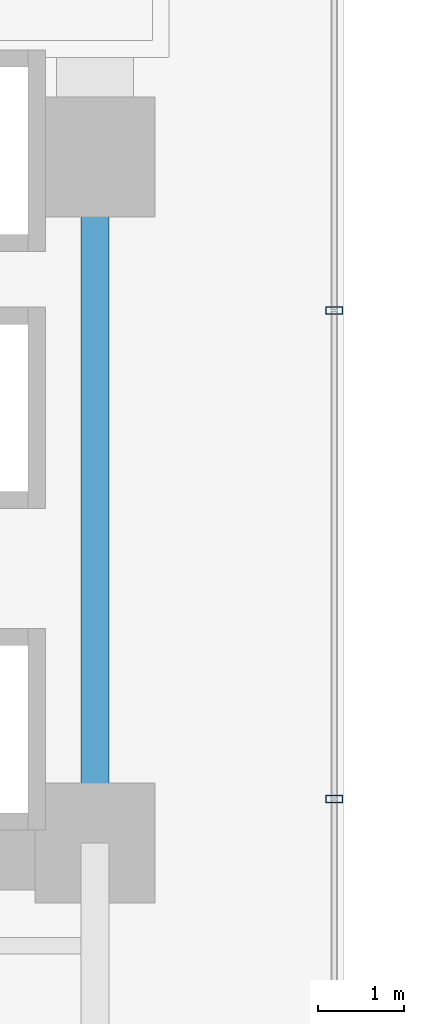
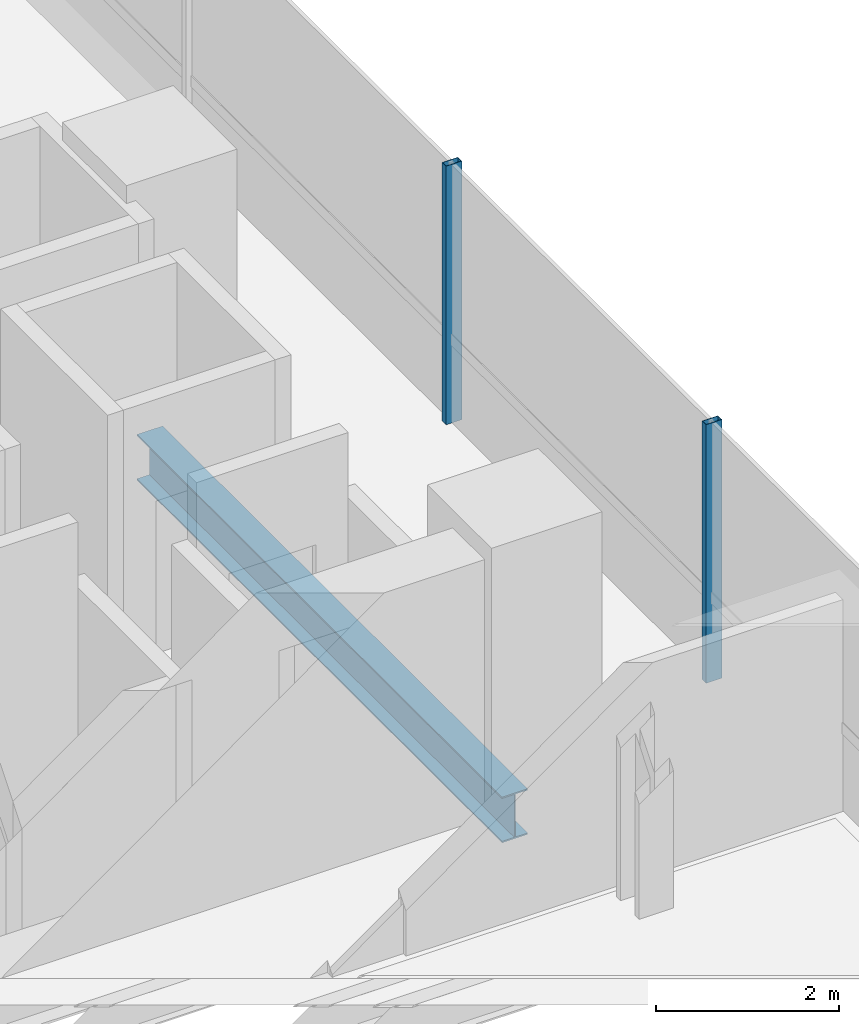
# One storey, part 6 of 40: 2 members, 1 beam, 1 element without a shape of its own.
"""IFC4 building model written with IfcOpenShell, lengths in metres."""

from ifc_helpers import new_model, si_unit, direction, frame, origin, origin_2d, place, context, subcontext, project, spatial, hollow_rectangle, i_section, extrude, source, transform, mapped, material, material_profile, profile_set, type_object, element, aggregate, save


model = new_model("IFC4")

# Units and contexts
model_context = context("Model", 3, precision=1e-05, world=origin(), true_north=direction((0.0, 1.0)))
body_context = subcontext(model_context, "Body", "Model", "MODEL_VIEW")
ifc_project = project(units=[si_unit("LENGTHUNIT", "METRE"), si_unit("AREAUNIT", "SQUARE_METRE"), si_unit("VOLUMEUNIT", "CUBIC_METRE"), si_unit("PLANEANGLEUNIT", "RADIAN"), si_unit("MASSUNIT", "GRAM", prefix="KILO")], contexts=[model_context])

# Site, building, storey
site_placement = place(None, origin())
site = spatial("IfcSite", under=ifc_project, at=site_placement, CompositionType="ELEMENT")
building_placement = place(site_placement, origin())
building = spatial("IfcBuilding", under=site, at=building_placement, Name="Valdorenza Pilgrim Sanctuary Tower", CompositionType="ELEMENT")
storey_placement = place(building_placement, frame((0.0, 0.0, 81.5)))
storey = spatial("IfcBuildingStorey", under=building, at=storey_placement, Name="L20", CompositionType="ELEMENT", Elevation=81.5)

# Beam
ifc_material_1 = material(Name="Steel ASTM A992 Grade 50", Category="steel")
ifc_material_profile_1 = material_profile(ifc_material_1, i_section(OverallWidth=0.323974609375, OverallDepth=0.611083984375, WebThickness=0.0126953125, FlangeThickness=0.01904296875, at=origin_2d()), Name="W24X104")
ifc_profile_set_1 = profile_set([ifc_material_profile_1], Name="Steel ASTM A992 Grade 50")
beam_type = type_object("IfcBeamType", Name="STR-BM-GRD-W24B", PredefinedType="BEAM", material=ifc_profile_set_1)
shared_shape_1 = source(origin(), body_context, "Body", "SweptSolid", [
    extrude(i_section(OverallWidth=0.323974609375, OverallDepth=0.611083984375, WebThickness=0.0126953125, FlangeThickness=0.01904296875, at=origin_2d()), origin(), (0.0, 0.0, 1.0), 8.0),
])
beam_placement = place(storey_placement, frame((-12.39990234375, -10.60009765625, -0.54541015625), z_axis=(0.0, 1.0, 0.0), x_axis=(-1.0, 0.0, 0.0)))
element("IfcBeam", 1, at=beam_placement, inside=storey, type_object=beam_type, Name="L20 Core Tie Girder CA-E-S1M0", PredefinedType="BEAM", context=body_context, shape_type="MappedRepresentation", body=[
    mapped(shared_shape_1, transform((0.0, 0.0, 0.0), x_axis=(1.0, 0.0, 0.0), y_axis=(0.0, 1.0, 0.0), z_axis=(0.0, 0.0, 1.0), scale=1.0)),
])

# Curtain wall, members
ifc_material_2 = material(Name="Curtain-wall IGU glazing", Category="glass")
curtain_wall_type = type_object("IfcCurtainWallType", Name="CW-SYS-02", PredefinedType="NOTDEFINED", material=ifc_material_2)
curtain_wall_placement = place(storey_placement, origin())
curtain_wall = element("IfcCurtainWall", 2, at=curtain_wall_placement, inside=storey, type_object=curtain_wall_type, Name="L20 Curtain Wall CW-L20-1-41", PredefinedType="NOTDEFINED")
ifc_material_3 = material(Name="Anodised aluminium AW-6060", Category="aluminium")
ifc_material_profile_2 = material_profile(ifc_material_3, hollow_rectangle(XDim=0.0849609375, YDim=0.199951171875, WallThickness=0.0048828125, at=origin_2d()), Name="ALU-M 200x85x5")
ifc_profile_set_2 = profile_set([ifc_material_profile_2], Name="Anodised aluminium AW-6060")
member_type = type_object("IfcMemberType", Name="CW-MUL-02", PredefinedType="MULLION", material=ifc_profile_set_2)
shared_shape_2 = source(origin(), body_context, "Body", "SweptSolid", [
    extrude(hollow_rectangle(XDim=0.0849609375, YDim=0.199951171875, WallThickness=0.0048828125, at=origin_2d()), origin(), (0.0, 0.0, 1.0), 3.4599609375),
])
member_1_placement = place(storey_placement, frame((-9.610107421875, -4.38916015625, 0.0), z_axis=(0.0, 0.0, 1.0), x_axis=(0.0, -1.0, 0.0)))
member_1 = element("IfcMember", 3, at=member_1_placement, type_object=member_type, Name="CW-L20-1-41 Mullion 3", PredefinedType="MULLION", context=body_context, shape_type="MappedRepresentation", body=[
    mapped(shared_shape_2, transform((0.0, 0.0, 0.0), x_axis=(1.0, 0.0, 0.0), y_axis=(0.0, 1.0, 0.0), z_axis=(0.0, 0.0, 1.0), scale=1.0)),
])
member_2_placement = place(storey_placement, frame((-9.610107421875, -10.089111328125, 0.0), z_axis=(0.0, 0.0, 1.0), x_axis=(0.0, -1.0, 0.0)))
member_2 = element("IfcMember", 4, at=member_2_placement, type_object=member_type, Name="CW-L20-1-41 Mullion 4", PredefinedType="MULLION", context=body_context, shape_type="MappedRepresentation", body=[
    mapped(shared_shape_2, transform((0.0, 0.0, 0.0), x_axis=(1.0, 0.0, 0.0), y_axis=(0.0, 1.0, 0.0), z_axis=(0.0, 0.0, 1.0), scale=1.0)),
])
aggregate(curtain_wall, [member_1, member_2])

save(model, "model.ifc")
